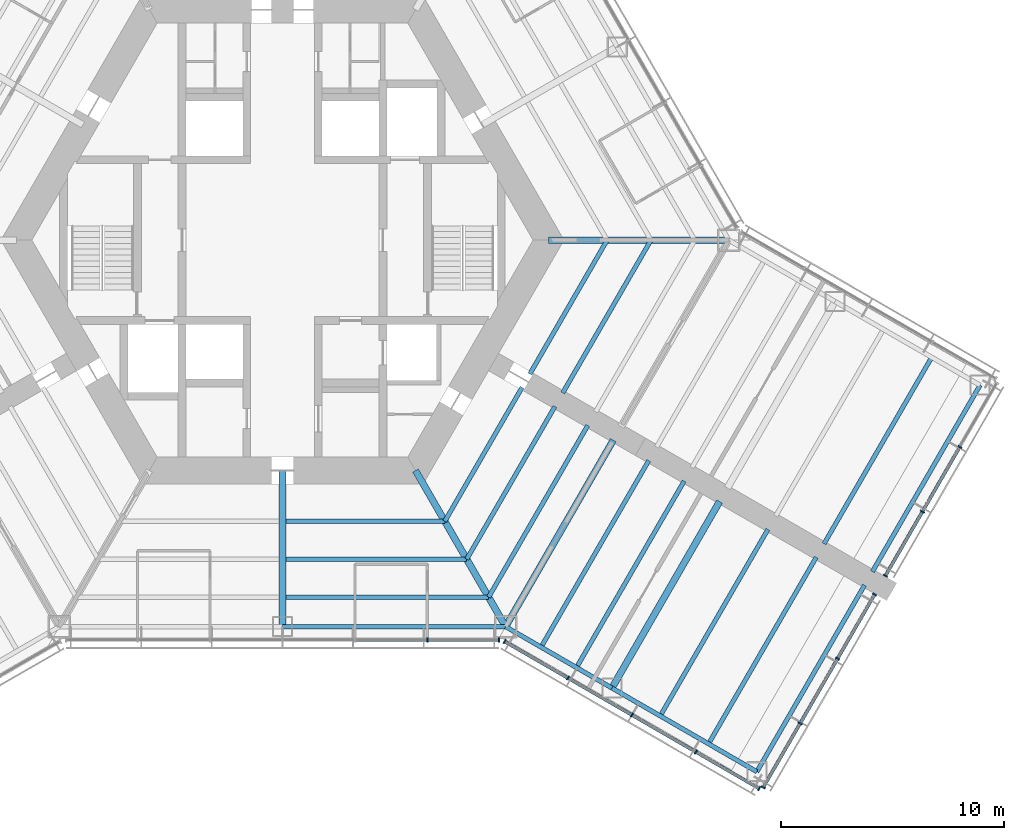
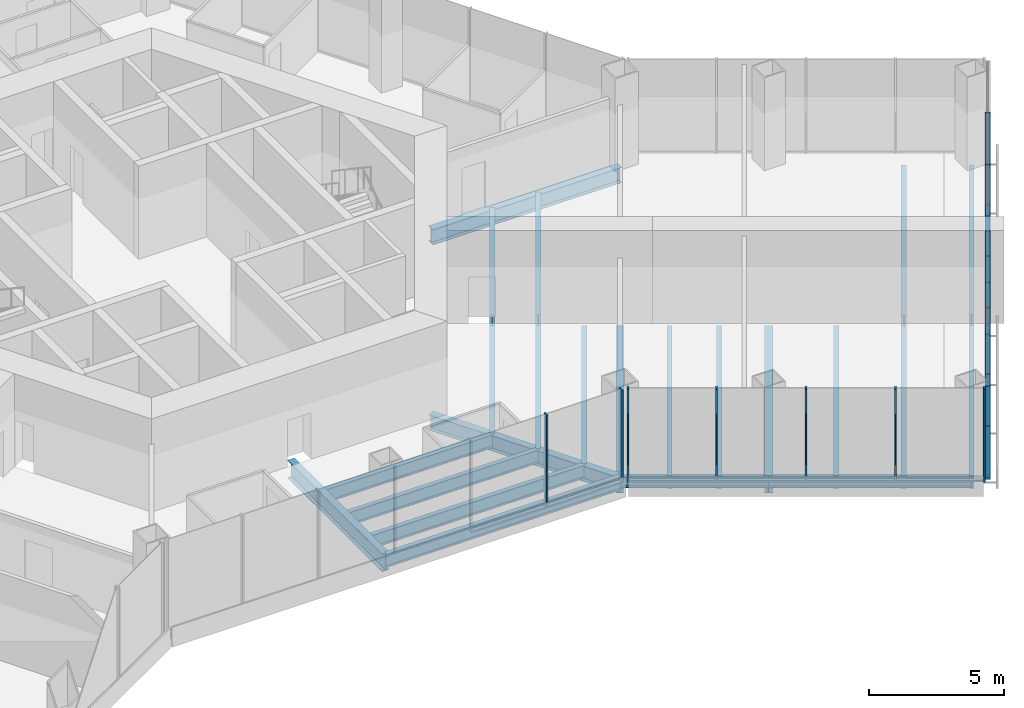
# One storey, part 4 of 17: 25 members, 23 beams, 4 elements without a shape of their own.
"""IFC4 building model written with IfcOpenShell, lengths in metres."""

import ifcopenshell
import ifcopenshell.guid

model = None  # the IFC model being written
_history = None  # IfcOwnerHistory: only IFC2X3 demands one
_inside = {}  # id of a spatial element -> (the spatial element, [elements in it])
_under = {}  # id of a project, library or spatial element -> (it, [spatial elements below it])
_declared = {}  # id of a project -> (the project, [libraries it declares])
_typed = {}  # id of a type object -> (the type object, [elements of that type])
_made_of = {}  # id of a material, layer set ... -> (it, [elements and type objects made of it])


def new_model(schema):
    """Start an empty IFC model of exactly this schema.

    Asked for "IFC4X3", IfcOpenShell would pick the latest addendum, in which some entities
    have other attributes; the version numbers below select the first issue.
    IFC2X3 requires an IfcOwnerHistory on every rooted entity: one is made here for all.
    """
    global model, _history
    if schema == "IFC4X3":
        model = ifcopenshell.file(schema_version=(4, 3, 0, 0))
    else:
        model = ifcopenshell.file(schema=schema)
    _inside.clear()
    _under.clear()
    _declared.clear()
    _typed.clear()
    _made_of.clear()
    _history = None
    if model.schema == "IFC2X3":
        org = make("IfcOrganization", Name="unknown")
        user = make(
            "IfcPersonAndOrganization",
            ThePerson=make("IfcPerson", FamilyName="unknown"),
            TheOrganization=org,
        )
        app = make(
            "IfcApplication",
            ApplicationDeveloper=org,
            Version="unknown",
            ApplicationFullName="unknown",
            ApplicationIdentifier="unknown",
        )
        _history = make(
            "IfcOwnerHistory",
            OwningUser=user,
            OwningApplication=app,
            ChangeAction="ADDED",
            CreationDate=0,
        )
    return model


def make(cls, **values):
    """One entity of the class cls with the attributes given. An attribute that is None is left unset."""
    return model.create_entity(
        cls, **{name: value for name, value in values.items() if value is not None}
    )


def rooted(cls, **values):
    """An entity with a GlobalId (a new one), such as an element, a storey or a relation."""
    return make(cls, GlobalId=ifcopenshell.guid.new(), OwnerHistory=_history, **values)


def si_unit(unit_type, name, prefix=None):
    """IfcSIUnit, for example si_unit("LENGTHUNIT", "METRE", prefix="MILLI")."""
    return make("IfcSIUnit", UnitType=unit_type, Prefix=prefix, Name=name)


def assignment(units):
    """IfcUnitAssignment: the units of a project."""
    return None if units is None else make("IfcUnitAssignment", Units=units)


def point(xyz):
    """IfcCartesianPoint."""
    return None if xyz is None else make("IfcCartesianPoint", Coordinates=xyz)


def direction(xyz):
    """IfcDirection."""
    return None if xyz is None else make("IfcDirection", DirectionRatios=xyz)


def frame(location, z_axis=None, x_axis=None):
    """IfcAxis2Placement3D, a coordinate frame: its origin and axes. An axis left out is left unset."""
    return make(
        "IfcAxis2Placement3D",
        Location=point(location),
        Axis=direction(z_axis),
        RefDirection=direction(x_axis),
    )


def frame_2d(location, x_axis=None):
    """IfcAxis2Placement2D, a coordinate frame in the plane: its origin and x axis."""
    return make(
        "IfcAxis2Placement2D", Location=point(location), RefDirection=direction(x_axis)
    )


def origin():
    """The frame at (0, 0, 0) with its axes left unset."""
    return frame((0.0, 0.0, 0.0))


def origin_2d():
    """The frame at (0, 0) in the plane with its x axis left unset."""
    return frame_2d((0.0, 0.0))


def place(relative_to, where):
    """IfcLocalPlacement: puts the frame where relative to a parent placement (None: the world)."""
    return make(
        "IfcLocalPlacement", PlacementRelTo=relative_to, RelativePlacement=where
    )


def context(
    kind, dimensions, precision=None, world=None, true_north=None, identifier=None
):
    """IfcGeometricRepresentationContext, for example the 3D "Model" context."""
    return make(
        "IfcGeometricRepresentationContext",
        ContextIdentifier=identifier,
        ContextType=kind,
        CoordinateSpaceDimension=dimensions,
        Precision=precision,
        WorldCoordinateSystem=world,
        TrueNorth=true_north,
    )


def subcontext(parent, identifier, kind, view, scale=None):
    """IfcGeometricRepresentationSubContext, for example "Body" below "Model"."""
    return make(
        "IfcGeometricRepresentationSubContext",
        ContextIdentifier=identifier,
        ContextType=kind,
        ParentContext=parent,
        TargetScale=scale,
        TargetView=view,
    )


def project(units=None, contexts=None):
    """IfcProject with its units and contexts."""
    return rooted(
        "IfcProject",
        Name="project",
        RepresentationContexts=contexts,
        UnitsInContext=assignment(units),
    )


def spatial(cls, under=None, at=None, **own):
    """A site, building, storey or space (cls), placed at a placement, below another one or the project."""
    s = rooted(cls, ObjectPlacement=at, **own)
    if under is not None:
        _under.setdefault(under.id(), (under, []))[1].append(s)
    return s


def profile(cls, at=None, kind="AREA", **sizes):
    """A parametric profile (cls). Its sizes go by their IFC names, for example OverallWidth=200.0."""
    return make(cls, ProfileType=kind, Position=at, **sizes)


def rectangle(**sizes):
    """IfcRectangleProfileDef."""
    return profile("IfcRectangleProfileDef", **sizes)


def i_section(**sizes):
    """IfcIShapeProfileDef."""
    return profile("IfcIShapeProfileDef", **sizes)


def extrude(swept, where, along, depth):
    """IfcExtrudedAreaSolid: the profile swept, set in the frame where, extruded along a direction by depth."""
    return make(
        "IfcExtrudedAreaSolid",
        SweptArea=swept,
        Position=where,
        ExtrudedDirection=direction(along),
        Depth=depth,
    )


def shape(context_of_items, identifier, shape_type, items):
    """IfcShapeRepresentation: the items that make up one representation, for example the "Body"."""
    return make(
        "IfcShapeRepresentation",
        ContextOfItems=context_of_items,
        RepresentationIdentifier=identifier,
        RepresentationType=shape_type,
        Items=items,
    )


def material(Name=None, Category=None):
    """IfcMaterial."""
    return make("IfcMaterial", Name=Name, Category=Category)


def material_profile(
    of_material, cross_section, Name=None, Category=None, Priority=None
):
    """IfcMaterialProfile: a cross section and its material."""
    return make(
        "IfcMaterialProfile",
        Name=Name,
        Material=of_material,
        Profile=cross_section,
        Priority=Priority,
        Category=Category,
    )


def profile_set(profiles, Name=None, composite=None):
    """IfcMaterialProfileSet."""
    return make(
        "IfcMaterialProfileSet",
        Name=Name,
        MaterialProfiles=profiles,
        CompositeProfile=composite,
    )


def made_of(thing, what):
    """Note that an element or type object is made of a material, layer set ...; save() writes the relation."""
    if what is not None:
        _made_of.setdefault(what.id(), (what, []))[1].append(thing)
    return thing


def type_object(cls, material=None, **own):
    """A type object (cls), such as IfcWallType, which elements share."""
    return made_of(rooted(cls, **own), material)


def element(
    cls,
    number,
    at=None,
    inside=None,
    cuts=None,
    type_object=None,
    material=None,
    context=None,
    identifier="Body",
    shape_type=None,
    held_by="IfcProductDefinitionShape",
    body=None,
    shapes=None,
    **own,
):
    """One element of the class cls, such as IfcWall. Its Tag is "e" and its number.

    at: its placement. inside: the storey or other place that contains it. cuts: it is an
    opening in that element (IfcRelVoidsElement). A single representation is given by context,
    identifier, shape_type and body (its items); several are given by shapes. held_by: the class
    of the entity that holds the representations. save() writes the other relations.
    """
    e = rooted(cls, Tag="e%d" % number, ObjectPlacement=at, **own)
    if body is not None:
        shapes = [shape(context, identifier, shape_type, body)]
    if shapes is not None:
        e.Representation = make(held_by, Representations=shapes)
    if inside is not None:
        _inside.setdefault(inside.id(), (inside, []))[1].append(e)
    if cuts is not None:
        rooted(
            "IfcRelVoidsElement", RelatingBuildingElement=cuts, RelatedOpeningElement=e
        )
    if type_object is not None:
        _typed.setdefault(type_object.id(), (type_object, []))[1].append(e)
    return made_of(e, material)


def aggregate(whole, parts):
    """IfcRelAggregates: a whole, such as a stair, and the parts it consists of."""
    return rooted("IfcRelAggregates", RelatingObject=whole, RelatedObjects=parts)


def save(model, path):
    """Write the relations noted so far, then the file.

    IfcRelAggregates (storeys below a building ...), IfcRelContainedInSpatialStructure (elements
    in a storey), IfcRelDefinesByType, IfcRelAssociatesMaterial and IfcRelDeclares: one each for
    every whole, place, type object, material and project.
    """
    for whole, parts in _under.values():
        aggregate(whole, parts)
    for where, things in _inside.values():
        rooted(
            "IfcRelContainedInSpatialStructure",
            RelatedElements=things,
            RelatingStructure=where,
        )
    for kind, things in _typed.values():
        rooted("IfcRelDefinesByType", RelatedObjects=things, RelatingType=kind)
    for what, things in _made_of.values():
        rooted("IfcRelAssociatesMaterial", RelatedObjects=things, RelatingMaterial=what)
    for by, libraries in _declared.values():
        rooted("IfcRelDeclares", RelatingContext=by, RelatedDefinitions=libraries)
    model.write(path)


model = new_model("IFC4")

# Units and contexts
model_context = context("Model", 3, precision=1e-05, world=origin(), true_north=direction((0.0, 1.0)))
body_context = subcontext(model_context, "Body", "Model", "MODEL_VIEW")
ifc_project = project(units=[si_unit("LENGTHUNIT", "METRE"), si_unit("AREAUNIT", "SQUARE_METRE"), si_unit("VOLUMEUNIT", "CUBIC_METRE"), si_unit("PLANEANGLEUNIT", "RADIAN"), si_unit("MASSUNIT", "GRAM", prefix="KILO")], contexts=[model_context])

# Site, building, storey
site_placement = place(None, origin())
site = spatial("IfcSite", under=ifc_project, at=site_placement, CompositionType="ELEMENT")
building_placement = place(site_placement, origin())
building = spatial("IfcBuilding", under=site, at=building_placement, Name="Kasaneha Research Tower", CompositionType="ELEMENT")
storey_placement = place(building_placement, frame((0.0, 0.0, 47.800048828125)))
storey = spatial("IfcBuildingStorey", under=building, at=storey_placement, Name="L12", CompositionType="ELEMENT", Elevation=47.800048828125)

# Beams
ifc_material_1 = material(Name="Steel SN490B", Category="steel")
ifc_material_profile_1 = material_profile(ifc_material_1, i_section(OverallWidth=0.199951171875, OverallDepth=0.60009765625, WebThickness=0.010986328125, FlangeThickness=0.01708984375, FilletRadius=0.012939453125, at=origin_2d()), Name="H-600x200x11x17")
ifc_profile_set_1 = profile_set([ifc_material_profile_1], Name="Steel SN490B")
beam_type_1 = type_object("IfcBeamType", Name="B1-2 secondary beam H-600x200x11x17", PredefinedType="JOIST", material=ifc_profile_set_1)
beam_1_placement = place(storey_placement, frame((7.274658203125, -12.60009765625, -0.469970703125), z_axis=(-1.0, 0.0, 0.0), x_axis=(0.0, -1.0, 0.0)))
element("IfcBeam", 1, at=beam_1_placement, inside=storey, type_object=beam_type_1, Name="Secondary beam RS270R1 L12", PredefinedType="JOIST", context=body_context, shape_type="SweptSolid", body=[
    extrude(i_section(OverallWidth=0.199951171875, OverallDepth=0.60009765625, WebThickness=0.010986328125, FlangeThickness=0.01708984375, FilletRadius=0.012939453125, at=origin_2d()), origin(), (0.0, 0.0, 1.0), 7.124755859375),
])
beam_2_placement = place(storey_placement, frame((8.256103515625, -14.300048828125, -0.469970703125), z_axis=(-1.0, 0.0, 0.0), x_axis=(0.0, -1.0, 0.0)))
element("IfcBeam", 2, at=beam_2_placement, inside=storey, type_object=beam_type_1, Name="Secondary beam RS270R2 L12", PredefinedType="JOIST", context=body_context, shape_type="SweptSolid", body=[
    extrude(i_section(OverallWidth=0.199951171875, OverallDepth=0.60009765625, WebThickness=0.010986328125, FlangeThickness=0.01708984375, FilletRadius=0.012939453125, at=origin_2d()), origin(), (0.0, 0.0, 1.0), 8.106201171875),
])
beam_3_placement = place(storey_placement, frame((9.237548828125, -16.0, -0.469970703125), z_axis=(-1.0, 0.0, 0.0), x_axis=(0.0, -1.0, 0.0)))
element("IfcBeam", 3, at=beam_3_placement, inside=storey, type_object=beam_type_1, Name="Secondary beam RS270R3 L12", PredefinedType="JOIST", context=body_context, shape_type="SweptSolid", body=[
    extrude(i_section(OverallWidth=0.199951171875, OverallDepth=0.60009765625, WebThickness=0.010986328125, FlangeThickness=0.01708984375, FilletRadius=0.012939453125, at=origin_2d()), origin(), (0.0, 0.0, 1.0), 9.087646484375),
])
beam_4_placement = place(storey_placement, frame((7.274658203125, -12.60009765625, -0.469970703125), z_axis=(0.499972710878, 0.866041158593, 0.0), x_axis=(-0.866041158593, 0.499972710878, 0.0)))
element("IfcBeam", 4, at=beam_4_placement, inside=storey, type_object=beam_type_1, Name="Secondary beam RS330L1 L12", PredefinedType="JOIST", context=body_context, shape_type="SweptSolid", body=[
    extrude(i_section(OverallWidth=0.199951171875, OverallDepth=0.60009765625, WebThickness=0.010986328125, FlangeThickness=0.01708984375, FilletRadius=0.012939453125, at=origin_2d()), origin(), (0.0, 0.0, 1.0), 6.9248046875),
])
beam_5_placement = place(storey_placement, frame((8.256103515625, -14.300048828125, -0.469970703125), z_axis=(0.500004902938, 0.866022573054, 0.0), x_axis=(-0.866022573054, 0.500004902938, 0.0)))
element("IfcBeam", 5, at=beam_5_placement, inside=storey, type_object=beam_type_1, Name="Secondary beam RS330L2 L12", PredefinedType="JOIST", context=body_context, shape_type="SweptSolid", body=[
    extrude(i_section(OverallWidth=0.199951171875, OverallDepth=0.60009765625, WebThickness=0.010986328125, FlangeThickness=0.01708984375, FilletRadius=0.012939453125, at=origin_2d()), origin(), (0.0, 0.0, 1.0), 7.90625),
])
beam_6_placement = place(storey_placement, frame((9.237548828125, -16.0, -0.469970703125), z_axis=(0.500009382636, 0.866019986649, 0.0), x_axis=(-0.866019986649, 0.500009382636, 0.0)))
element("IfcBeam", 6, at=beam_6_placement, inside=storey, type_object=beam_type_1, Name="Secondary beam RS330L3 L12", PredefinedType="JOIST", context=body_context, shape_type="SweptSolid", body=[
    extrude(i_section(OverallWidth=0.199951171875, OverallDepth=0.60009765625, WebThickness=0.010986328125, FlangeThickness=0.01708984375, FilletRadius=0.012939453125, at=origin_2d()), origin(), (0.0, 0.0, 1.0), 8.887451171875),
])
beam_7_placement = place(storey_placement, frame((14.54931640625, 0.0, -0.469970703125), z_axis=(-0.500014420154, -0.866017078145, 0.0), x_axis=(0.866017078145, -0.500014420154, 0.0)))
element("IfcBeam", 7, at=beam_7_placement, inside=storey, type_object=beam_type_1, Name="Secondary beam RS330R1 L12", PredefinedType="JOIST", context=body_context, shape_type="SweptSolid", body=[
    extrude(i_section(OverallWidth=0.199951171875, OverallDepth=0.60009765625, WebThickness=0.010986328125, FlangeThickness=0.01708984375, FilletRadius=0.012939453125, at=origin_2d()), origin(), (0.0, 0.0, 1.0), 6.924560546875),
])
beam_8_placement = place(storey_placement, frame((16.51220703125, 0.0, -0.469970703125), z_axis=(-0.500004902938, -0.866022573054, 0.0), x_axis=(0.866022573054, -0.500004902938, 0.0)))
element("IfcBeam", 8, at=beam_8_placement, inside=storey, type_object=beam_type_1, Name="Secondary beam RS330R2 L12", PredefinedType="JOIST", context=body_context, shape_type="SweptSolid", body=[
    extrude(i_section(OverallWidth=0.199951171875, OverallDepth=0.60009765625, WebThickness=0.010986328125, FlangeThickness=0.01708984375, FilletRadius=0.012939453125, at=origin_2d()), origin(), (0.0, 0.0, 1.0), 7.90625),
])
ifc_material_2 = material(Name="Steel SN490B", Category="steel")
ifc_material_profile_2 = material_profile(ifc_material_2, i_section(OverallWidth=0.198974609375, OverallDepth=0.595947265625, WebThickness=0.010009765625, FlangeThickness=0.014892578125, FilletRadius=0.012939453125, at=origin_2d()), Name="H-596x199x10x15")
ifc_profile_set_2 = profile_set([ifc_material_profile_2], Name="Steel SN490B")
beam_type_2 = type_object("IfcBeamType", Name="B2-2 secondary beam H-596x199x10x15", PredefinedType="JOIST", material=ifc_profile_set_2)
for number, where, z_axis, x_axis, name in (
    (9, (11.587646484375, -18.237060546875, -0.468017578125), (0.50000569793, 0.866022114058, 0.0), (-0.866022114058, 0.50000569793, 0.0), "Secondary beam WBCP1 L12"),
    (10, (13.175537109375, -19.15380859375, -0.468017578125), (0.499994742786, 0.866028439017, 0.0), (-0.866028439017, 0.499994742786, 0.0), "Secondary beam WBCP2 L12"),
    (11, (16.92822265625, -21.320556640625, -0.468017578125), (0.499994742786, 0.866028439017, 0.0), (-0.866028439017, 0.499994742786, 0.0), "Secondary beam WBCP3 L12"),
    (12, (19.09326171875, -22.570556640625, -0.468017578125), (0.499994742786, 0.866028439017, 0.0), (-0.866028439017, 0.499994742786, 0.0), "Secondary beam WBCP4 L12"),
    (13, (29.09326171875, -5.25, -0.468017578125), (-0.499994742786, -0.866028439017, 0.0), (0.866028439017, -0.499994742786, 0.0), "Secondary beam WBCN4 L12"),
):
    element("IfcBeam", number, at=place(storey_placement, frame(where, z_axis=z_axis, x_axis=x_axis)), inside=storey, type_object=beam_type_2, Name=name, PredefinedType="JOIST", context=body_context, shape_type="SweptSolid", body=[
        extrude(i_section(OverallWidth=0.198974609375, OverallDepth=0.595947265625, WebThickness=0.010009765625, FlangeThickness=0.014892578125, FilletRadius=0.012939453125, at=origin_2d()), origin(), (0.0, 0.0, 1.0), 9.64990234375),
    ])

# Curtain wall, members
ifc_material_3 = material(Name="Glass and aluminium", Category="aluminium")
curtain_wall_type = type_object("IfcCurtainWallType", Name="Dry laboratory curtain wall", PredefinedType="USERDEFINED", material=ifc_material_3)
curtain_wall_1_placement = place(storey_placement, origin())
curtain_wall_1 = element("IfcCurtainWall", 14, at=curtain_wall_1_placement, inside=storey, type_object=curtain_wall_type, Name="CW-L2 L12 run 02a", ObjectType="UNITISED CURTAIN WALL", PredefinedType="USERDEFINED")
ifc_material_4 = material(Name="Aluminium 6063-T6", Category="aluminium")
ifc_material_profile_3 = material_profile(ifc_material_4, rectangle(XDim=0.06494140625, YDim=0.199951171875, at=origin_2d()), Name="CW-L2 mullion 65x200")
ifc_profile_set_3 = profile_set([ifc_material_profile_3], Name="Aluminium 6063-T6")
member_type_1 = type_object("IfcMemberType", Name="CW-L2 mullion", PredefinedType="MULLION", material=ifc_profile_set_3)
member_1_placement = place(storey_placement, frame((6.492919921875, -17.92041015625, 0.0), z_axis=(0.0, 0.0, 1.0), x_axis=(1.0, 0.0, 0.0)))
member_1 = element("IfcMember", 15, at=member_1_placement, type_object=member_type_1, Name="CW-L2 mullion 6", PredefinedType="MULLION", context=body_context, shape_type="SweptSolid", body=[
    extrude(rectangle(XDim=0.06494140625, YDim=0.199951171875, at=origin_2d()), origin(), (0.0, 0.0, 1.0), 4.199951171875),
])
member_2_placement = place(storey_placement, frame((9.706787109375, -17.92041015625, 0.0), z_axis=(0.0, 0.0, 1.0), x_axis=(1.0, 0.0, 0.0)))
member_2 = element("IfcMember", 16, at=member_2_placement, type_object=member_type_1, Name="CW-L2 mullion 7", PredefinedType="MULLION", context=body_context, shape_type="SweptSolid", body=[
    extrude(rectangle(XDim=0.06494140625, YDim=0.199951171875, at=origin_2d()), origin(), (0.0, 0.0, 1.0), 4.199951171875),
])

curtain_wall_2_placement = place(storey_placement, origin())
curtain_wall_2 = element("IfcCurtainWall", 17, at=curtain_wall_2_placement, inside=storey, type_object=curtain_wall_type, Name="CW-L2 L12 run 03a", ObjectType="UNITISED CURTAIN WALL", PredefinedType="USERDEFINED")
member_3_placement = place(storey_placement, frame((9.953857421875, -17.98681640625, 0.0), z_axis=(0.0, 0.0, 1.0), x_axis=(0.866025411464, -0.499999986699, 0.0)))
member_3 = element("IfcMember", 18, at=member_3_placement, type_object=member_type_1, Name="CW-L2 mullion 1", PredefinedType="MULLION", context=body_context, shape_type="SweptSolid", body=[
    extrude(rectangle(XDim=0.06494140625, YDim=0.199951171875, at=origin_2d()), origin(), (0.0, 0.0, 1.0), 4.199951171875),
])
member_4_placement = place(storey_placement, frame((12.792236328125, -19.62548828125, 0.0), z_axis=(0.0, 0.0, 1.0), x_axis=(0.866025411464, -0.499999986699, 0.0)))
member_4 = element("IfcMember", 19, at=member_4_placement, type_object=member_type_1, Name="CW-L2 mullion 2", PredefinedType="MULLION", context=body_context, shape_type="SweptSolid", body=[
    extrude(rectangle(XDim=0.06494140625, YDim=0.199951171875, at=origin_2d()), origin(), (0.0, 0.0, 1.0), 4.199951171875),
])
member_5_placement = place(storey_placement, frame((15.65869140625, -21.2802734375, 0.0), z_axis=(0.0, 0.0, 1.0), x_axis=(0.866025411464, -0.499999986699, 0.0)))
member_5 = element("IfcMember", 20, at=member_5_placement, type_object=member_type_1, Name="CW-L2 mullion 3", PredefinedType="MULLION", context=body_context, shape_type="SweptSolid", body=[
    extrude(rectangle(XDim=0.06494140625, YDim=0.199951171875, at=origin_2d()), origin(), (0.0, 0.0, 1.0), 4.199951171875),
])
member_6_placement = place(storey_placement, frame((18.52490234375, -22.935302734375, 0.0), z_axis=(0.0, 0.0, 1.0), x_axis=(0.866025411464, -0.499999986699, 0.0)))
member_6 = element("IfcMember", 21, at=member_6_placement, type_object=member_type_1, Name="CW-L2 mullion 4", PredefinedType="MULLION", context=body_context, shape_type="SweptSolid", body=[
    extrude(rectangle(XDim=0.06494140625, YDim=0.199951171875, at=origin_2d()), origin(), (0.0, 0.0, 1.0), 4.199951171875),
])
member_7_placement = place(storey_placement, frame((21.36328125, -24.573974609375, 0.0), z_axis=(0.0, 0.0, 1.0), x_axis=(0.866025411464, -0.499999986699, 0.0)))
member_7 = element("IfcMember", 22, at=member_7_placement, type_object=member_type_1, Name="CW-L2 mullion 5", PredefinedType="MULLION", context=body_context, shape_type="SweptSolid", body=[
    extrude(rectangle(XDim=0.06494140625, YDim=0.199951171875, at=origin_2d()), origin(), (0.0, 0.0, 1.0), 4.199951171875),
])

curtain_wall_3_placement = place(storey_placement, origin())
curtain_wall_3 = element("IfcCurtainWall", 23, at=curtain_wall_3_placement, inside=storey, type_object=curtain_wall_type, Name="CW-L2 L12 run 04a", ObjectType="UNITISED CURTAIN WALL", PredefinedType="USERDEFINED")
member_8_placement = place(storey_placement, frame((21.544189453125, -24.525390625, 0.0), z_axis=(0.0, 0.0, 1.0), x_axis=(0.500000011442, 0.866025397178, 0.0)))
member_8 = element("IfcMember", 24, at=member_8_placement, type_object=member_type_1, Name="CW-L2 mullion 1", PredefinedType="MULLION", context=body_context, shape_type="SweptSolid", body=[
    extrude(rectangle(XDim=0.06494140625, YDim=0.199951171875, at=origin_2d()), origin(), (0.0, 0.0, 1.0), 4.199951171875),
])
member_9_placement = place(storey_placement, frame((23.202880859375, -21.65234375, 0.0), z_axis=(0.0, 0.0, 1.0), x_axis=(0.500000011442, 0.866025397178, 0.0)))
member_9 = element("IfcMember", 25, at=member_9_placement, type_object=member_type_1, Name="CW-L2 mullion 2", PredefinedType="MULLION", context=body_context, shape_type="SweptSolid", body=[
    extrude(rectangle(XDim=0.06494140625, YDim=0.199951171875, at=origin_2d()), origin(), (0.0, 0.0, 1.0), 4.199951171875),
])
member_10_placement = place(storey_placement, frame((24.8779296875, -18.751220703125, 0.0), z_axis=(0.0, 0.0, 1.0), x_axis=(0.500000011442, 0.866025397178, 0.0)))
member_10 = element("IfcMember", 26, at=member_10_placement, type_object=member_type_1, Name="CW-L2 mullion 3", PredefinedType="MULLION", context=body_context, shape_type="SweptSolid", body=[
    extrude(rectangle(XDim=0.06494140625, YDim=0.199951171875, at=origin_2d()), origin(), (0.0, 0.0, 1.0), 4.199951171875),
])
member_11_placement = place(storey_placement, frame((26.53662109375, -15.878173828125, 0.0), z_axis=(0.0, 0.0, 1.0), x_axis=(0.500000011442, 0.866025397178, 0.0)))
member_11 = element("IfcMember", 27, at=member_11_placement, type_object=member_type_1, Name="CW-L2 mullion 4", PredefinedType="MULLION", context=body_context, shape_type="SweptSolid", body=[
    extrude(rectangle(XDim=0.06494140625, YDim=0.199951171875, at=origin_2d()), origin(), (0.0, 0.0, 1.0), 4.199951171875),
])

curtain_wall_4_placement = place(storey_placement, origin())
curtain_wall_4 = element("IfcCurtainWall", 28, at=curtain_wall_4_placement, inside=storey, type_object=curtain_wall_type, Name="CW-L2 L12 run 05a", ObjectType="UNITISED CURTAIN WALL", PredefinedType="USERDEFINED")
member_12_placement = place(storey_placement, frame((27.019287109375, -15.04248046875, 0.0), z_axis=(0.0, 0.0, 1.0), x_axis=(0.500000011442, 0.866025397178, 0.0)))
member_12 = element("IfcMember", 29, at=member_12_placement, type_object=member_type_1, Name="CW-L2 mullion 1", PredefinedType="MULLION", context=body_context, shape_type="SweptSolid", body=[
    extrude(rectangle(XDim=0.06494140625, YDim=0.199951171875, at=origin_2d()), origin(), (0.0, 0.0, 1.0), 4.199951171875),
])
member_13_placement = place(storey_placement, frame((28.677978515625, -12.16943359375, 0.0), z_axis=(0.0, 0.0, 1.0), x_axis=(0.500000011442, 0.866025397178, 0.0)))
member_13 = element("IfcMember", 30, at=member_13_placement, type_object=member_type_1, Name="CW-L2 mullion 2", PredefinedType="MULLION", context=body_context, shape_type="SweptSolid", body=[
    extrude(rectangle(XDim=0.06494140625, YDim=0.199951171875, at=origin_2d()), origin(), (0.0, 0.0, 1.0), 4.199951171875),
])
member_14_placement = place(storey_placement, frame((30.35302734375, -9.26806640625, 0.0), z_axis=(0.0, 0.0, 1.0), x_axis=(0.500000011442, 0.866025397178, 0.0)))
member_14 = element("IfcMember", 31, at=member_14_placement, type_object=member_type_1, Name="CW-L2 mullion 3", PredefinedType="MULLION", context=body_context, shape_type="SweptSolid", body=[
    extrude(rectangle(XDim=0.06494140625, YDim=0.199951171875, at=origin_2d()), origin(), (0.0, 0.0, 1.0), 4.199951171875),
])

# Member
ifc_material_5 = material(Name="Aluminium 6063-T6", Category="aluminium")
ifc_material_profile_4 = material_profile(ifc_material_5, rectangle(XDim=0.14990234375, YDim=0.06494140625, at=origin_2d()), Name="CW-L2 transom 150x65")
ifc_profile_set_4 = profile_set([ifc_material_profile_4], Name="Aluminium 6063-T6")
member_type_2 = type_object("IfcMemberType", Name="CW-L2 transom", PredefinedType="USERDEFINED", material=ifc_profile_set_4)
member_15_placement = place(storey_placement, frame((3.27880859375, -17.92041015625, 0.032470703125), z_axis=(1.0, 0.0, 0.0), x_axis=(0.0, 1.0, 0.0)))
member_15 = element("IfcMember", 32, at=member_15_placement, type_object=member_type_2, Name="CW-L2 transom 5", ObjectType="TRANSOM", PredefinedType="USERDEFINED", context=body_context, shape_type="SweptSolid", body=[
    extrude(rectangle(XDim=0.14990234375, YDim=0.06494140625, at=origin_2d()), origin(), (0.0, 0.0, 1.0), 3.181396484375),
])

member_16_placement = place(storey_placement, frame((6.525390625, -17.92041015625, 0.032470703125), z_axis=(1.0, 0.0, 0.0), x_axis=(0.0, 1.0, 0.0)))
member_16 = element("IfcMember", 33, at=member_16_placement, type_object=member_type_2, Name="CW-L2 transom 6", ObjectType="TRANSOM", PredefinedType="USERDEFINED", context=body_context, shape_type="SweptSolid", body=[
    extrude(rectangle(XDim=0.14990234375, YDim=0.06494140625, at=origin_2d()), origin(), (0.0, 0.0, 1.0), 3.14892578125),
])

aggregate(curtain_wall_1, [member_1, member_2, member_15, member_16])

member_17_placement = place(storey_placement, frame((9.982177734375, -18.0029296875, 0.032470703125), z_axis=(0.866022320763, -0.500005339912, 0.0), x_axis=(0.500005339912, 0.866022320763, 0.0)))
member_17 = element("IfcMember", 34, at=member_17_placement, type_object=member_type_2, Name="CW-L2 transom 1", ObjectType="TRANSOM", PredefinedType="USERDEFINED", context=body_context, shape_type="SweptSolid", body=[
    extrude(rectangle(XDim=0.14990234375, YDim=0.06494140625, at=origin_2d()), origin(), (0.0, 0.0, 1.0), 3.21240234375),
])

member_18_placement = place(storey_placement, frame((12.8203125, -19.6416015625, 0.032470703125), z_axis=(0.866002649306, -0.500039409842, 0.0), x_axis=(0.500039409842, 0.866002649306, 0.0)))
member_18 = element("IfcMember", 35, at=member_18_placement, type_object=member_type_2, Name="CW-L2 transom 2", ObjectType="TRANSOM", PredefinedType="USERDEFINED", context=body_context, shape_type="SweptSolid", body=[
    extrude(rectangle(XDim=0.14990234375, YDim=0.06494140625, at=origin_2d()), origin(), (0.0, 0.0, 1.0), 3.244873046875),
])

member_19_placement = place(storey_placement, frame((15.686767578125, -21.296630859375, 0.032470703125), z_axis=(0.866035229914, -0.499982980259, 0.0), x_axis=(0.499982980259, 0.866035229914, 0.0)))
member_19 = element("IfcMember", 36, at=member_19_placement, type_object=member_type_2, Name="CW-L2 transom 3", ObjectType="TRANSOM", PredefinedType="USERDEFINED", context=body_context, shape_type="SweptSolid", body=[
    extrude(rectangle(XDim=0.14990234375, YDim=0.06494140625, at=origin_2d()), origin(), (0.0, 0.0, 1.0), 3.24462890625),
])

member_20_placement = place(storey_placement, frame((18.55322265625, -22.951416015625, 0.032470703125), z_axis=(0.86600331843, -0.500038251005, 0.0), x_axis=(0.500038251005, 0.86600331843, 0.0)))
member_20 = element("IfcMember", 37, at=member_20_placement, type_object=member_type_2, Name="CW-L2 transom 4", ObjectType="TRANSOM", PredefinedType="USERDEFINED", context=body_context, shape_type="SweptSolid", body=[
    extrude(rectangle(XDim=0.14990234375, YDim=0.06494140625, at=origin_2d()), origin(), (0.0, 0.0, 1.0), 3.212158203125),
])

aggregate(curtain_wall_2, [member_3, member_4, member_5, member_6, member_7, member_17, member_18, member_19, member_20])

member_21_placement = place(storey_placement, frame((21.560546875, -24.497314453125, 0.032470703125), z_axis=(0.499973687205, 0.866040594951, 0.0), x_axis=(-0.866040594951, 0.499973687205, 0.0)))
member_21 = element("IfcMember", 38, at=member_21_placement, type_object=member_type_2, Name="CW-L2 transom 1", ObjectType="TRANSOM", PredefinedType="USERDEFINED", context=body_context, shape_type="SweptSolid", body=[
    extrude(rectangle(XDim=0.14990234375, YDim=0.06494140625, at=origin_2d()), origin(), (0.0, 0.0, 1.0), 3.252685546875),
])

member_22_placement = place(storey_placement, frame((23.21923828125, -21.624267578125, 0.032470703125), z_axis=(0.50000765355, 0.86602098496, 0.0), x_axis=(-0.86602098496, 0.50000765355, 0.0)))
member_22 = element("IfcMember", 39, at=member_22_placement, type_object=member_type_2, Name="CW-L2 transom 2", ObjectType="TRANSOM", PredefinedType="USERDEFINED", context=body_context, shape_type="SweptSolid", body=[
    extrude(rectangle(XDim=0.14990234375, YDim=0.06494140625, at=origin_2d()), origin(), (0.0, 0.0, 1.0), 3.28515625),
])

member_23_placement = place(storey_placement, frame((24.894287109375, -18.722900390625, 0.032470703125), z_axis=(0.500006189695, 0.866021830133, 0.0), x_axis=(-0.866021830133, 0.500006189695, 0.0)))
member_23 = element("IfcMember", 40, at=member_23_placement, type_object=member_type_2, Name="CW-L2 transom 3", ObjectType="TRANSOM", PredefinedType="USERDEFINED", context=body_context, shape_type="SweptSolid", body=[
    extrude(rectangle(XDim=0.14990234375, YDim=0.06494140625, at=origin_2d()), origin(), (0.0, 0.0, 1.0), 3.25244140625),
])

aggregate(curtain_wall_3, [member_8, member_9, member_10, member_11, member_21, member_22, member_23])

member_24_placement = place(storey_placement, frame((27.035400390625, -15.01416015625, 0.032470703125), z_axis=(0.500006189695, 0.866021830133, 0.0), x_axis=(-0.866021830133, 0.500006189695, 0.0)))
member_24 = element("IfcMember", 41, at=member_24_placement, type_object=member_type_2, Name="CW-L2 transom 1", ObjectType="TRANSOM", PredefinedType="USERDEFINED", context=body_context, shape_type="SweptSolid", body=[
    extrude(rectangle(XDim=0.14990234375, YDim=0.06494140625, at=origin_2d()), origin(), (0.0, 0.0, 1.0), 3.25244140625),
])

member_25_placement = place(storey_placement, frame((28.694091796875, -12.14111328125, 0.032470703125), z_axis=(0.500039835994, 0.866002403241, 0.0), x_axis=(-0.866002403241, 0.500039835994, 0.0)))
member_25 = element("IfcMember", 42, at=member_25_placement, type_object=member_type_2, Name="CW-L2 transom 2", ObjectType="TRANSOM", PredefinedType="USERDEFINED", context=body_context, shape_type="SweptSolid", body=[
    extrude(rectangle(XDim=0.14990234375, YDim=0.06494140625, at=origin_2d()), origin(), (0.0, 0.0, 1.0), 3.284912109375),
])

aggregate(curtain_wall_4, [member_12, member_13, member_14, member_24, member_25])

# Beams
ifc_material_6 = material(Name="Steel SN490B", Category="steel")
ifc_material_profile_5 = material_profile(ifc_material_6, i_section(OverallWidth=0.300048828125, OverallDepth=0.699951171875, WebThickness=0.012939453125, FlangeThickness=0.02392578125, FilletRadius=0.01806640625, at=origin_2d()), Name="H-700x300x13x24")
ifc_profile_set_5 = profile_set([ifc_material_profile_5], Name="Steel SN490B")
beam_type_3 = type_object("IfcBeamType", Name="G1-2 radial girder H-700x300x13x24", PredefinedType="BEAM", material=ifc_profile_set_5)
beam_9_placement = place(storey_placement, frame((11.92236328125, 0.0, -0.52001953125), z_axis=(1.0, 0.0, 0.0), x_axis=(0.0, 1.0, 0.0)))
element("IfcBeam", 43, at=beam_9_placement, inside=storey, type_object=beam_type_3, Name="Radial girder RV000 L12", PredefinedType="BEAM", context=body_context, shape_type="SweptSolid", body=[
    extrude(i_section(OverallWidth=0.300048828125, OverallDepth=0.699951171875, WebThickness=0.012939453125, FlangeThickness=0.02392578125, FilletRadius=0.01806640625, at=origin_2d()), origin(), (0.0, 0.0, 1.0), 8.07763671875),
])
beam_10_placement = place(storey_placement, frame((5.961181640625, -10.324951171875, -0.52001953125), z_axis=(0.49999105496, -0.866030568144, 0.0), x_axis=(0.866030568144, 0.49999105496, 0.0)))
element("IfcBeam", 44, at=beam_10_placement, inside=storey, type_object=beam_type_3, Name="Radial girder RV300 L12", PredefinedType="BEAM", context=body_context, shape_type="SweptSolid", body=[
    extrude(i_section(OverallWidth=0.300048828125, OverallDepth=0.699951171875, WebThickness=0.012939453125, FlangeThickness=0.02392578125, FilletRadius=0.01806640625, at=origin_2d()), origin(), (0.0, 0.0, 1.0), 8.077880859375),
])
ifc_material_7 = material(Name="Steel SN490B", Category="steel")
ifc_material_profile_6 = material_profile(ifc_material_7, i_section(OverallWidth=0.300048828125, OverallDepth=0.800048828125, WebThickness=0.013916015625, FlangeThickness=0.02587890625, FilletRadius=0.01806640625, at=origin_2d()), Name="H-800x300x14x26")
ifc_profile_set_6 = profile_set([ifc_material_profile_6], Name="Steel SN490B")
beam_type_4 = type_object("IfcBeamType", Name="G2-2 radial girder H-800x300x14x26", PredefinedType="BEAM", material=ifc_profile_set_6)
beam_11_placement = place(storey_placement, frame((0.0, -10.324951171875, -0.570068359375), z_axis=(0.0, -1.0, 0.0), x_axis=(1.0, 0.0, 0.0)))
element("IfcBeam", 45, at=beam_11_placement, inside=storey, type_object=beam_type_4, Name="Radial girder RM270 L12", PredefinedType="BEAM", context=body_context, shape_type="SweptSolid", body=[
    extrude(i_section(OverallWidth=0.300048828125, OverallDepth=0.800048828125, WebThickness=0.013916015625, FlangeThickness=0.02587890625, FilletRadius=0.01806640625, at=origin_2d()), origin(), (0.0, 0.0, 1.0), 6.99560546875),
])
ifc_material_8 = material(Name="Steel SN490B", Category="steel")
ifc_material_profile_7 = material_profile(ifc_material_8, i_section(OverallWidth=0.300048828125, OverallDepth=0.7919921875, WebThickness=0.013916015625, FlangeThickness=0.02197265625, FilletRadius=0.01806640625, at=origin_2d()), Name="H-792x300x14x22")
ifc_profile_set_7 = profile_set([ifc_material_profile_7], Name="Steel SN490B")
beam_type_5 = type_object("IfcBeamType", Name="G3-2 plate edge girder H-792x300x14x22", PredefinedType="BEAM", material=ifc_profile_set_7)
beam_12_placement = place(storey_placement, frame((10.0, -17.320556640625, -0.566162109375), z_axis=(0.499994742786, 0.866028439017, 0.0), x_axis=(-0.866028439017, 0.499994742786, 0.0)))
element("IfcBeam", 46, at=beam_12_placement, inside=storey, type_object=beam_type_5, Name="Plate edge girder PECP L12", PredefinedType="BEAM", context=body_context, shape_type="SweptSolid", body=[
    extrude(i_section(OverallWidth=0.300048828125, OverallDepth=0.7919921875, WebThickness=0.013916015625, FlangeThickness=0.02197265625, FilletRadius=0.01806640625, at=origin_2d()), origin(), (0.0, 0.0, 1.0), 9.64990234375),
])
ifc_material_9 = material(Name="Steel SN490B", Category="steel")
ifc_material_profile_8 = material_profile(ifc_material_9, i_section(OverallWidth=0.300048828125, OverallDepth=0.800048828125, WebThickness=0.013916015625, FlangeThickness=0.02587890625, FilletRadius=0.01806640625, at=origin_2d()), Name="H-800x300x14x26")
ifc_profile_set_8 = profile_set([ifc_material_profile_8], Name="Steel SN490B")
beam_type_6 = type_object("IfcBeamType", Name="G4-2 wing girder H-800x300x14x26", PredefinedType="BEAM", material=ifc_profile_set_8)
beam_13_placement = place(storey_placement, frame((14.76318359375, -20.070556640625, -0.570068359375), z_axis=(0.499994742786, 0.866028439017, 0.0), x_axis=(-0.866028439017, 0.499994742786, 0.0)))
element("IfcBeam", 47, at=beam_13_placement, inside=storey, type_object=beam_type_6, Name="Wing girder WGCP L12", PredefinedType="BEAM", context=body_context, shape_type="SweptSolid", body=[
    extrude(i_section(OverallWidth=0.300048828125, OverallDepth=0.800048828125, WebThickness=0.013916015625, FlangeThickness=0.02587890625, FilletRadius=0.01806640625, at=origin_2d()), origin(), (0.0, 0.0, 1.0), 9.64990234375),
])
ifc_material_10 = material(Name="Steel SN490B", Category="steel")
ifc_material_profile_9 = material_profile(ifc_material_10, i_section(OverallWidth=0.199951171875, OverallDepth=0.60009765625, WebThickness=0.010986328125, FlangeThickness=0.01708984375, FilletRadius=0.012939453125, at=origin_2d()), Name="H-600x200x11x17")
ifc_profile_set_9 = profile_set([ifc_material_profile_9], Name="Steel SN490B")
beam_type_7 = type_object("IfcBeamType", Name="SB1-2 spandrel beam H-600x200x11x17", PredefinedType="SPANDREL", material=ifc_profile_set_9)
beam_14_placement = place(storey_placement, frame((10.0, -17.320556640625, -0.469970703125), z_axis=(-1.0, 0.0, 0.0), x_axis=(0.0, -1.0, 0.0)))
element("IfcBeam", 48, at=beam_14_placement, inside=storey, type_object=beam_type_7, Name="Spandrel beam SR270R L12", PredefinedType="SPANDREL", context=body_context, shape_type="SweptSolid", body=[
    extrude(i_section(OverallWidth=0.199951171875, OverallDepth=0.60009765625, WebThickness=0.010986328125, FlangeThickness=0.01708984375, FilletRadius=0.012939453125, at=origin_2d()), origin(), (0.0, 0.0, 1.0), 10.0),
])
ifc_material_11 = material(Name="Steel SN490B", Category="steel")
ifc_material_profile_10 = material_profile(ifc_material_11, i_section(OverallWidth=0.199951171875, OverallDepth=0.5, WebThickness=0.010009765625, FlangeThickness=0.01611328125, FilletRadius=0.012939453125, at=origin_2d()), Name="H-500x200x10x16")
ifc_profile_set_10 = profile_set([ifc_material_profile_10], Name="Steel SN490B")
beam_type_8 = type_object("IfcBeamType", Name="SB2-2 spandrel beam H-500x200x10x16", PredefinedType="SPANDREL", material=ifc_profile_set_10)
beam_15_placement = place(storey_placement, frame((10.0, -17.320556640625, -0.420166015625), z_axis=(0.866027397988, -0.499996545922, 0.0), x_axis=(0.499996545922, 0.866027397988, 0.0)))
element("IfcBeam", 49, at=beam_15_placement, inside=storey, type_object=beam_type_8, Name="Spandrel beam WSCP1 L12", PredefinedType="SPANDREL", context=body_context, shape_type="SweptSolid", body=[
    extrude(i_section(OverallWidth=0.199951171875, OverallDepth=0.5, WebThickness=0.010009765625, FlangeThickness=0.01611328125, FilletRadius=0.012939453125, at=origin_2d()), origin(), (0.0, 0.0, 1.0), 5.5),
])
beam_16_placement = place(storey_placement, frame((14.76318359375, -20.070556640625, -0.420166015625), z_axis=(0.866022959057, -0.500004234368, 0.0), x_axis=(0.500004234368, 0.866022959057, 0.0)))
element("IfcBeam", 50, at=beam_16_placement, inside=storey, type_object=beam_type_8, Name="Spandrel beam WSCP2 L12", PredefinedType="SPANDREL", context=body_context, shape_type="SweptSolid", body=[
    extrude(i_section(OverallWidth=0.199951171875, OverallDepth=0.5, WebThickness=0.010009765625, FlangeThickness=0.01611328125, FilletRadius=0.012939453125, at=origin_2d()), origin(), (0.0, 0.0, 1.0), 7.5),
])
ifc_material_12 = material(Name="Steel SN490B", Category="steel")
ifc_material_profile_11 = material_profile(ifc_material_12, i_section(OverallWidth=0.199951171875, OverallDepth=0.60009765625, WebThickness=0.010986328125, FlangeThickness=0.01708984375, FilletRadius=0.012939453125, at=origin_2d()), Name="H-600x200x11x17")
ifc_profile_set_11 = profile_set([ifc_material_profile_11], Name="Steel SN490B")
beam_type_9 = type_object("IfcBeamType", Name="SB3-2 spandrel beam H-600x200x11x17", PredefinedType="SPANDREL", material=ifc_profile_set_11)
for number, where, z_axis, x_axis, name in (
    (51, (21.25830078125, -23.820556640625, -0.469970703125), (0.499994742786, 0.866028439017, 0.0), (-0.866028439017, 0.499994742786, 0.0), "Spandrel beam WTCP L12"),
    (52, (31.25830078125, -6.5, -0.469970703125), (-0.499994742786, -0.866028439017, 0.0), (0.866028439017, -0.499994742786, 0.0), "Spandrel beam WTCN L12"),
):
    element("IfcBeam", number, at=place(storey_placement, frame(where, z_axis=z_axis, x_axis=x_axis)), inside=storey, type_object=beam_type_9, Name=name, PredefinedType="SPANDREL", context=body_context, shape_type="SweptSolid", body=[
        extrude(i_section(OverallWidth=0.199951171875, OverallDepth=0.60009765625, WebThickness=0.010986328125, FlangeThickness=0.01708984375, FilletRadius=0.012939453125, at=origin_2d()), origin(), (0.0, 0.0, 1.0), 9.64990234375),
    ])

save(model, "model.ifc")
